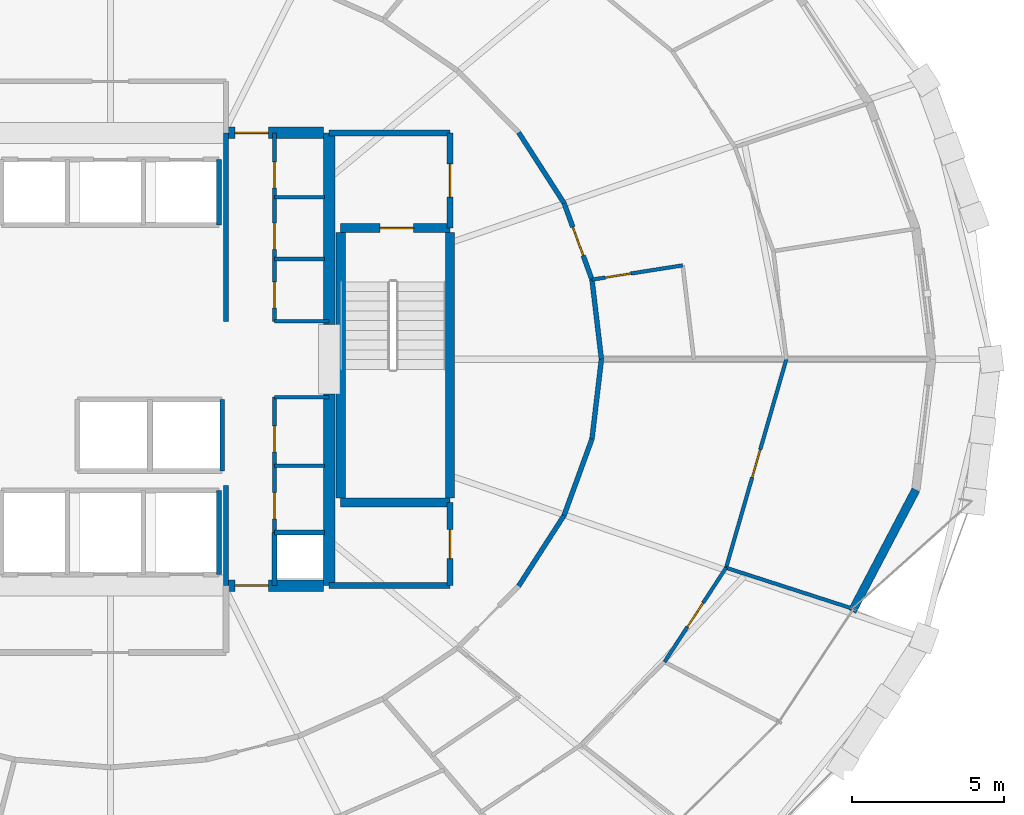
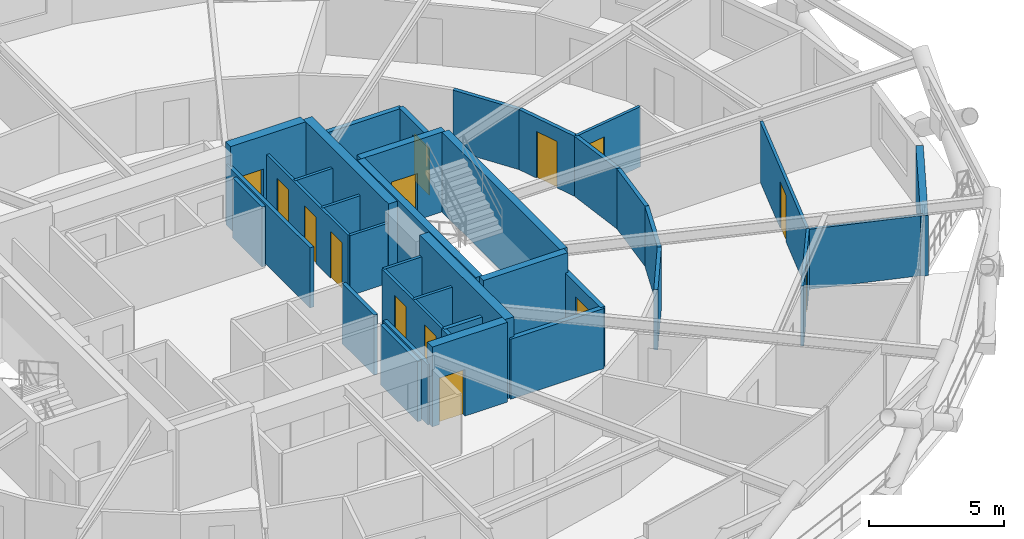
# One storey, part 15 of 19: 37 walls, 14 doors, 14 openings.
"""IFC4 building model written with IfcOpenShell, lengths in metres."""

from ifc_helpers import new_model, si_unit, direction, frame, frame_2d, origin, place, context, subcontext, project, spatial, rectangle, extrude, material, layer, layer_set, type_object, element, fill, save


model = new_model("IFC4")

# Units and contexts
model_context = context("Model", 3, precision=1e-05, world=origin(), true_north=direction((0.0, 1.0)))
body_context = subcontext(model_context, "Body", "Model", "MODEL_VIEW")
ifc_project = project(units=[si_unit("LENGTHUNIT", "METRE"), si_unit("AREAUNIT", "SQUARE_METRE"), si_unit("VOLUMEUNIT", "CUBIC_METRE"), si_unit("PLANEANGLEUNIT", "RADIAN"), si_unit("MASSUNIT", "GRAM", prefix="KILO")], contexts=[model_context])

# Site, building, storey
site_placement = place(None, origin())
site = spatial("IfcSite", under=ifc_project, at=site_placement, CompositionType="ELEMENT")
building_placement = place(site_placement, origin())
building = spatial("IfcBuilding", under=site, at=building_placement, Name="Veldorina Hangang Commons", CompositionType="ELEMENT")
storey_placement = place(building_placement, frame((0.0, 0.0, 77.199951171875)))
storey = spatial("IfcBuildingStorey", under=building, at=storey_placement, Name="L19", CompositionType="ELEMENT", Elevation=77.199951171875)

# Walls
ifc_material_1 = material(Name="Concrete C70/85", Category="concrete")
ifc_layer_1 = layer(ifc_material_1, 0.3798828125)
ifc_layer_set_1 = layer_set([ifc_layer_1], Name="Concrete C70/85")
wall_type_1 = type_object("IfcWallType", Name="CW-RC380-C70", PredefinedType="SHEAR", material=ifc_layer_set_1)
for number, where, z_axis, x_axis, name in (
    (1, (39.199951171875, 16.550048828125, 0.0), (0.0, 0.0, 1.0), (0.0, 1.0, 0.0), "L19 E south core shear wall"),
    (2, (39.199951171875, 25.14990234375, 0.0), (0.0, 0.0, 1.0), (0.0, 1.0, 0.0), "L19 E north core shear wall"),
):
    element("IfcWall", number, at=place(storey_placement, frame(where, z_axis=z_axis, x_axis=x_axis)), inside=storey, type_object=wall_type_1, Name=name, PredefinedType="SHEAR", context=body_context, shape_type="SweptSolid", body=[
        extrude(rectangle(XDim=6.300048828125, YDim=0.3798828125, at=frame_2d((3.14990234375, 0.0))), origin(), (0.0, 0.0, 1.0), 3.60009765625),
    ])

# Wall, opening, door
wall_1_placement = place(storey_placement, frame((35.800048828125, 16.550048828125, 0.0), z_axis=(0.0, 0.0, 1.0), x_axis=(1.0, 0.0, 0.0)))
wall_1 = element("IfcWall", 3, at=wall_1_placement, inside=storey, type_object=wall_type_1, Name="L19 south-east core shear wall", PredefinedType="SHEAR", context=body_context, shape_type="SweptSolid", body=[
    extrude(rectangle(XDim=3.2099609375, YDim=0.3798828125, at=frame_2d((1.60498046875, 0.0))), origin(), (0.0, 0.0, 1.0), 3.60009765625),
])
opening_1_placement = place(wall_1_placement, frame((0.300048828125, 0.0, 0.0)))
opening_1 = element("IfcOpeningElement", 4, at=opening_1_placement, cuts=wall_1, Name="Opening D-08", PredefinedType="OPENING", context=body_context, shape_type="SweptSolid", body=[
    extrude(rectangle(XDim=1.10009765625, YDim=2.10009765625, at=frame_2d((0.550048828125, 1.050048828125))), frame((0.0, 0.199951171875, 0.0), z_axis=(0.0, -1.0, 0.0), x_axis=(1.0, 0.0, 0.0)), (0.0, 0.0, 1.0), 0.39990234375),
])
ifc_material_2 = material(Name="Steel Fire-Rated Smoke Seal", Category="steel")
door_type_1 = type_object("IfcDoorType", Name="DR-FIRE-1100", OperationType="SINGLE_SWING_RIGHT", PredefinedType="DOOR", material=ifc_material_2)
door_1_placement = place(opening_1_placement, origin())
door_1 = element("IfcDoor", 5, at=door_1_placement, inside=storey, type_object=door_type_1, Name="L19 central lift lobby south corridor door", OperationType="SINGLE_SWING_RIGHT", OverallHeight=2.10009765625, OverallWidth=1.10009765625, PredefinedType="DOOR", context=body_context, shape_type="SweptSolid", body=[
    extrude(rectangle(XDim=1.10009765625, YDim=2.10009765625, at=frame_2d((0.550048828125, 1.050048828125))), frame((0.0, 0.02490234375, 0.0), z_axis=(0.0, -1.0, 0.0), x_axis=(1.0, 0.0, 0.0)), (0.0, 0.0, 1.0), 0.050048828125),
])
fill(opening_1, door_1)

wall_2_placement = place(storey_placement, frame((35.800048828125, 31.449951171875, 0.0), z_axis=(0.0, 0.0, 1.0), x_axis=(1.0, 0.0, 0.0)))
wall_2 = element("IfcWall", 6, at=wall_2_placement, inside=storey, type_object=wall_type_1, Name="L19 north-east core shear wall", PredefinedType="SHEAR", context=body_context, shape_type="SweptSolid", body=[
    extrude(rectangle(XDim=3.2099609375, YDim=0.3798828125, at=frame_2d((1.60498046875, 0.0))), origin(), (0.0, 0.0, 1.0), 3.60009765625),
])
opening_2_placement = place(wall_2_placement, frame((0.300048828125, 0.0, 0.0)))
opening_2 = element("IfcOpeningElement", 7, at=opening_2_placement, cuts=wall_2, Name="Opening D-08", PredefinedType="OPENING", context=body_context, shape_type="SweptSolid", body=[
    extrude(rectangle(XDim=1.10009765625, YDim=2.10009765625, at=frame_2d((0.550048828125, 1.050048828125))), frame((0.0, 0.199951171875, 0.0), z_axis=(0.0, -1.0, 0.0), x_axis=(1.0, 0.0, 0.0)), (0.0, 0.0, 1.0), 0.39990234375),
])
door_2_placement = place(opening_2_placement, origin())
door_2 = element("IfcDoor", 8, at=door_2_placement, inside=storey, type_object=door_type_1, Name="L19 central lift lobby north corridor door", OperationType="SINGLE_SWING_LEFT", OverallHeight=2.10009765625, OverallWidth=1.10009765625, PredefinedType="DOOR", context=body_context, shape_type="SweptSolid", body=[
    extrude(rectangle(XDim=1.10009765625, YDim=2.10009765625, at=frame_2d((0.550048828125, 1.050048828125))), frame((0.0, 0.02490234375, 0.0), z_axis=(0.0, -1.0, 0.0), x_axis=(1.0, 0.0, 0.0)), (0.0, 0.0, 1.0), 0.050048828125),
])
fill(opening_2, door_2)

# Walls
ifc_material_3 = material(Name="Stone Roman Travertine", Category="masonry")
ifc_layer_2 = layer(ifc_material_3, 0.280029296875)
ifc_layer_set_2 = layer_set([ifc_layer_2], Name="Stone Roman Travertine")
wall_type_2 = type_object("IfcWallType", Name="EW-TRAV-280", PredefinedType="STANDARD", material=ifc_layer_set_2)
wall_3_placement = place(storey_placement, frame((56.412841796875, 15.7021484375, 0.0), z_axis=(0.0, 0.0, 1.0), x_axis=(0.46457646391, 0.885533008521, 0.0)))
element("IfcWall", 9, at=wall_3_placement, inside=storey, type_object=wall_type_2, Name="L19 travertine facade wall 30", PredefinedType="STANDARD", context=body_context, shape_type="SweptSolid", body=[
    extrude(rectangle(XDim=4.516845703125, YDim=0.280029296875, at=frame_2d((2.25830078125, 0.0))), origin(), (0.0, 0.0, 1.0), 2.7099609375),
])
ifc_material_4 = material(Name="Concrete C50/60", Category="concrete")
ifc_layer_3 = layer(ifc_material_4, 0.300048828125)
ifc_layer_set_3 = layer_set([ifc_layer_3], Name="Concrete C50/60")
wall_type_3 = type_object("IfcWallType", Name="SW-STAIR-300", PredefinedType="SHEAR", material=ifc_layer_set_3)
for number, where, z_axis, x_axis, name in (
    (10, (43.179931640625, 19.429931640625, 0.0), (0.0, 0.0, 1.0), (0.0, 1.0, 0.0), "L19 ST2 outer stair shear wall"),
    (11, (39.580078125, 19.429931640625, 0.0), (0.0, 0.0, 1.0), (0.0, 1.0, 0.0), "L19 ST2 inner stair shear wall"),
):
    element("IfcWall", number, at=place(storey_placement, frame(where, z_axis=z_axis, x_axis=x_axis)), inside=storey, type_object=wall_type_3, Name=name, PredefinedType="SHEAR", context=body_context, shape_type="SweptSolid", body=[
        extrude(rectangle(XDim=8.739990234375, YDim=0.300048828125, at=frame_2d((4.3701171875, 0.0))), origin(), (0.0, 0.0, 1.0), 3.60009765625),
    ])
wall_4_placement = place(storey_placement, frame((39.580078125, 19.280029296875, 0.0), z_axis=(0.0, 0.0, 1.0), x_axis=(1.0, 0.0, 0.0)))
element("IfcWall", 12, at=wall_4_placement, inside=storey, type_object=wall_type_3, Name="L19 ST2 south stair shear wall", PredefinedType="SHEAR", context=body_context, shape_type="SweptSolid", body=[
    extrude(rectangle(XDim=3.599853515625, YDim=0.300048828125, at=frame_2d((1.7998046875, 0.0))), origin(), (0.0, 0.0, 1.0), 3.60009765625),
])

# Wall, opening, door
wall_5_placement = place(storey_placement, frame((39.580078125, 28.320068359375, 0.0), z_axis=(0.0, 0.0, 1.0), x_axis=(1.0, 0.0, 0.0)))
wall_5 = element("IfcWall", 13, at=wall_5_placement, inside=storey, type_object=wall_type_3, Name="L19 ST2 north stair shear wall", PredefinedType="SHEAR", context=body_context, shape_type="SweptSolid", body=[
    extrude(rectangle(XDim=3.599853515625, YDim=0.300048828125, at=frame_2d((1.7998046875, 0.0))), origin(), (0.0, 0.0, 1.0), 3.60009765625),
])
opening_3_placement = place(wall_5_placement, frame((1.300048828125, 0.0, 0.0)))
opening_3 = element("IfcOpeningElement", 14, at=opening_3_placement, cuts=wall_5, Name="Opening D-08", PredefinedType="OPENING", context=body_context, shape_type="SweptSolid", body=[
    extrude(rectangle(XDim=1.10009765625, YDim=2.10009765625, at=frame_2d((0.550048828125, 1.050048828125))), frame((0.0, 0.16015625, 0.0), z_axis=(0.0, -1.0, 0.0), x_axis=(1.0, 0.0, 0.0)), (0.0, 0.0, 1.0), 0.320068359375),
])
door_3_placement = place(opening_3_placement, origin())
door_3 = element("IfcDoor", 15, at=door_3_placement, inside=storey, type_object=door_type_1, Name="L19 Special Escape Stair ST-2 door", OperationType="SINGLE_SWING_RIGHT", OverallHeight=2.10009765625, OverallWidth=1.10009765625, PredefinedType="DOOR", context=body_context, shape_type="SweptSolid", body=[
    extrude(rectangle(XDim=1.10009765625, YDim=2.10009765625, at=frame_2d((0.550048828125, 1.050048828125))), frame((0.0, 0.02490234375, 0.0), z_axis=(0.0, -1.0, 0.0), x_axis=(1.0, 0.0, 0.0)), (0.0, 0.0, 1.0), 0.050048828125),
])
fill(opening_3, door_3)

# Walls
ifc_material_5 = material(Name="Gypsum Fire-Rated Twin Stud Wall", Category="gypsum")
ifc_layer_4 = layer(ifc_material_5, 0.159912109375)
ifc_layer_set_4 = layer_set([ifc_layer_4], Name="Gypsum Fire-Rated Twin Stud Wall")
wall_type_4 = type_object("IfcWallType", Name="WL-FIRE-160", PredefinedType="SOLIDWALL", material=ifc_layer_set_4)
wall_6_placement = place(storey_placement, frame((35.800048828125, 16.550048828125, 0.0), z_axis=(0.0, 0.0, 1.0), x_axis=(0.0, 1.0, 0.0)))
element("IfcWall", 16, at=wall_6_placement, inside=storey, type_object=wall_type_4, Name="L19 Lift passage SW wall 009", PredefinedType="SOLIDWALL", context=body_context, shape_type="SweptSolid", body=[
    extrude(rectangle(XDim=3.300048828125, YDim=0.159912109375, at=frame_2d((1.64990234375, 0.0))), origin(), (0.0, 0.0, 1.0), 2.7099609375),
])
wall_7_placement = place(storey_placement, frame((37.39990234375, 16.550048828125, 0.0), z_axis=(0.0, 0.0, 1.0), x_axis=(0.0, 1.0, 0.0)))
element("IfcWall", 17, at=wall_7_placement, inside=storey, type_object=wall_type_4, Name="L19 Lift passage SE stub 010", PredefinedType="SOLIDWALL", context=body_context, shape_type="SweptSolid", body=[
    extrude(rectangle(XDim=1.75, YDim=0.159912109375, at=frame_2d((0.875, 0.0))), origin(), (0.0, 0.0, 1.0), 2.7099609375),
])
wall_8_placement = place(storey_placement, frame((35.800048828125, 25.25, 0.0), z_axis=(0.0, 0.0, 1.0), x_axis=(0.0, 1.0, 0.0)))
element("IfcWall", 18, at=wall_8_placement, inside=storey, type_object=wall_type_4, Name="L19 Lift passage NW wall 011", PredefinedType="SOLIDWALL", context=body_context, shape_type="SweptSolid", body=[
    extrude(rectangle(XDim=6.199951171875, YDim=0.159912109375, at=frame_2d((3.10009765625, 0.0))), origin(), (0.0, 0.0, 1.0), 2.7099609375),
])
wall_9_placement = place(storey_placement, frame((35.580078125, 28.419921875, 0.0), z_axis=(0.0, 0.0, 1.0), x_axis=(0.0, 1.0, 0.0)))
element("IfcWall", 19, at=wall_9_placement, inside=storey, type_object=wall_type_4, Name="L19 PL-L3 east shaft wall 020", PredefinedType="SOLIDWALL", context=body_context, shape_type="SweptSolid", body=[
    extrude(rectangle(XDim=2.16015625, YDim=0.159912109375, at=frame_2d((1.080078125, 0.0))), origin(), (0.0, 0.0, 1.0), 2.7099609375),
])
wall_10_placement = place(storey_placement, frame((35.679931640625, 20.320068359375, 0.0), z_axis=(0.0, 0.0, 1.0), x_axis=(0.0, 1.0, 0.0)))
element("IfcWall", 20, at=wall_10_placement, inside=storey, type_object=wall_type_4, Name="L19 SL-2 east shaft wall 025", PredefinedType="SOLIDWALL", context=body_context, shape_type="SweptSolid", body=[
    extrude(rectangle(XDim=2.35986328125, YDim=0.159912109375, at=frame_2d((1.179931640625, 0.0))), origin(), (0.0, 0.0, 1.0), 2.7099609375),
])
wall_11_placement = place(storey_placement, frame((35.580078125, 16.919921875, 0.0), z_axis=(0.0, 0.0, 1.0), x_axis=(0.0, 1.0, 0.0)))
element("IfcWall", 21, at=wall_11_placement, inside=storey, type_object=wall_type_4, Name="L19 EVL-1 east shaft wall 031", PredefinedType="SOLIDWALL", context=body_context, shape_type="SweptSolid", body=[
    extrude(rectangle(XDim=2.760009765625, YDim=0.159912109375, at=frame_2d((1.3798828125, 0.0))), origin(), (0.0, 0.0, 1.0), 2.7099609375),
])
wall_12_placement = place(storey_placement, frame((37.39990234375, 18.300048828125, 0.0), z_axis=(0.0, 0.0, 1.0), x_axis=(1.0, 0.0, 0.0)))
element("IfcWall", 22, at=wall_12_placement, inside=storey, type_object=wall_type_4, Name="L19 Plumbing riser wall 037", PredefinedType="SOLIDWALL", context=body_context, shape_type="SweptSolid", body=[
    extrude(rectangle(XDim=1.650146484375, YDim=0.159912109375, at=frame_2d((0.8251953125, 0.0))), origin(), (0.0, 0.0, 1.0), 2.7099609375),
])
wall_13_placement = place(storey_placement, frame((48.162109375, 24.0, 0.0), z_axis=(0.0, 0.0, 1.0), x_axis=(-0.117667763342, 0.993053018459, 0.0)))
element("IfcWall", 23, at=wall_13_placement, inside=storey, type_object=wall_type_4, Name="L19 Corridor outer wall 00 050", PredefinedType="SOLIDWALL", context=body_context, shape_type="SweptSolid", body=[
    extrude(rectangle(XDim=2.63916015625, YDim=0.159912109375, at=frame_2d((1.319580078125, 0.0))), origin(), (0.0, 0.0, 1.0), 2.7099609375),
])

# Wall, opening, door
wall_14_placement = place(storey_placement, frame((47.8515625, 26.620849609375, 0.0), z_axis=(0.0, 0.0, 1.0), x_axis=(-0.342882618672, 0.939378257047, 0.0)))
wall_14 = element("IfcWall", 24, at=wall_14_placement, inside=storey, type_object=wall_type_4, Name="L19 Corridor outer wall 01 051", PredefinedType="SOLIDWALL", context=body_context, shape_type="SweptSolid", body=[
    extrude(rectangle(XDim=2.682861328125, YDim=0.159912109375, at=frame_2d((1.34130859375, 0.0))), origin(), (0.0, 0.0, 1.0), 2.7099609375),
])
opening_4_placement = place(wall_14_placement, frame((0.84130859375, 0.0, 0.0)))
opening_4 = element("IfcOpeningElement", 25, at=opening_4_placement, cuts=wall_14, Name="Opening D-06", PredefinedType="OPENING", context=body_context, shape_type="SweptSolid", body=[
    extrude(rectangle(XDim=1.0, YDim=2.10009765625, at=frame_2d((0.5, 1.050048828125))), frame((0.0, 0.08984375, 0.0), z_axis=(0.0, -1.0, 0.0), x_axis=(1.0, 0.0, 0.0)), (0.0, 0.0, 1.0), 0.179931640625),
])
ifc_material_6 = material(Name="Timber Fire-Rated Entrance Core", Category="wood")
door_type_2 = type_object("IfcDoorType", Name="DR-UNIT-1000", OperationType="SINGLE_SWING_LEFT", PredefinedType="DOOR", material=ifc_material_6)
door_4_placement = place(opening_4_placement, origin())
door_4 = element("IfcDoor", 26, at=door_4_placement, inside=storey, type_object=door_type_2, Name="L19 Cluster 3 entrance door 031", OperationType="SINGLE_SWING_LEFT", OverallHeight=2.10009765625, OverallWidth=1.0, PredefinedType="DOOR", context=body_context, shape_type="SweptSolid", body=[
    extrude(rectangle(XDim=1.0, YDim=2.10009765625, at=frame_2d((0.5, 1.050048828125))), frame((0.0, 0.02490234375, 0.0), z_axis=(0.0, -1.0, 0.0), x_axis=(1.0, 0.0, 0.0)), (0.0, 0.0, 1.0), 0.050048828125),
])
fill(opening_4, door_4)

# Walls
for number, where, z_axis, x_axis, name in (
    (27, (46.931640625, 29.14111328125, 0.0), (0.0, 0.0, 1.0), (-0.540891657444, 0.841092274907, 0.0), "L19 Corridor outer wall 02 052"),
    (28, (45.438232421875, 16.53662109375, 0.0), (0.0, 0.0, 1.0), (0.540891657444, 0.841092274907, 0.0), "L19 Corridor outer wall 29 079"),
):
    element("IfcWall", number, at=place(storey_placement, frame(where, z_axis=z_axis, x_axis=x_axis)), inside=storey, type_object=wall_type_4, Name=name, PredefinedType="SOLIDWALL", context=body_context, shape_type="SweptSolid", body=[
        extrude(rectangle(XDim=2.760986328125, YDim=0.159912109375, at=frame_2d((1.38037109375, 0.0))), origin(), (0.0, 0.0, 1.0), 2.7099609375),
    ])
wall_15_placement = place(storey_placement, frame((46.931640625, 18.85888671875, 0.0), z_axis=(0.0, 0.0, 1.0), x_axis=(0.342882618672, 0.939378257047, 0.0)))
element("IfcWall", 29, at=wall_15_placement, inside=storey, type_object=wall_type_4, Name="L19 Corridor outer wall 30 080", PredefinedType="SOLIDWALL", context=body_context, shape_type="SweptSolid", body=[
    extrude(rectangle(XDim=2.682861328125, YDim=0.159912109375, at=frame_2d((1.34130859375, 0.0))), origin(), (0.0, 0.0, 1.0), 2.7099609375),
])
wall_16_placement = place(storey_placement, frame((47.8515625, 21.379150390625, 0.0), z_axis=(0.0, 0.0, 1.0), x_axis=(0.117667763342, 0.993053018459, 0.0)))
element("IfcWall", 30, at=wall_16_placement, inside=storey, type_object=wall_type_4, Name="L19 Corridor outer wall 31 081", PredefinedType="SOLIDWALL", context=body_context, shape_type="SweptSolid", body=[
    extrude(rectangle(XDim=2.63916015625, YDim=0.159912109375, at=frame_2d((1.319580078125, 0.0))), origin(), (0.0, 0.0, 1.0), 2.7099609375),
])

# Wall, opening, door
ifc_material_7 = material(Name="Concrete Blockwork Fire Wall C30/37", Category="masonry")
ifc_layer_5 = layer(ifc_material_7, 0.199951171875)
ifc_layer_set_5 = layer_set([ifc_layer_5], Name="Concrete Blockwork Fire Wall C30/37")
wall_type_5 = type_object("IfcWallType", Name="WL-FIRE-200", PredefinedType="SOLIDWALL", material=ifc_layer_set_5)
wall_17_placement = place(storey_placement, frame((43.179931640625, 28.320068359375, 0.0), z_axis=(0.0, 0.0, 1.0), x_axis=(0.0, 1.0, 0.0)))
wall_17 = element("IfcWall", 31, at=wall_17_placement, inside=storey, type_object=wall_type_5, Name="L19 East vestibule outer wall 003", PredefinedType="SOLIDWALL", context=body_context, shape_type="SweptSolid", body=[
    extrude(rectangle(XDim=3.1298828125, YDim=0.199951171875, at=frame_2d((1.56494140625, 0.0))), origin(), (0.0, 0.0, 1.0), 2.7099609375),
])
opening_5_placement = place(wall_17_placement, frame((1.014892578125, 0.0, 0.0)))
opening_5 = element("IfcOpeningElement", 32, at=opening_5_placement, cuts=wall_17, Name="Opening D-08", PredefinedType="OPENING", context=body_context, shape_type="SweptSolid", body=[
    extrude(rectangle(XDim=1.10009765625, YDim=2.10009765625, at=frame_2d((0.550048828125, 1.050048828125))), frame((0.0, 0.10986328125, 0.0), z_axis=(0.0, -1.0, 0.0), x_axis=(1.0, 0.0, 0.0)), (0.0, 0.0, 1.0), 0.219970703125),
])
door_5_placement = place(opening_5_placement, origin())
door_5 = element("IfcDoor", 33, at=door_5_placement, inside=storey, type_object=door_type_1, Name="L19 East vestibule east door 002", OperationType="SINGLE_SWING_RIGHT", OverallHeight=2.10009765625, OverallWidth=1.10009765625, PredefinedType="DOOR", context=body_context, shape_type="SweptSolid", body=[
    extrude(rectangle(XDim=1.10009765625, YDim=2.10009765625, at=frame_2d((0.550048828125, 1.050048828125))), frame((0.0, 0.02490234375, 0.0), z_axis=(0.0, -1.0, 0.0), x_axis=(1.0, 0.0, 0.0)), (0.0, 0.0, 1.0), 0.050048828125),
])
fill(opening_5, door_5)

# Wall
wall_18_placement = place(storey_placement, frame((39.199951171875, 31.449951171875, 0.0), z_axis=(0.0, 0.0, 1.0), x_axis=(1.0, 0.0, 0.0)))
element("IfcWall", 34, at=wall_18_placement, inside=storey, type_object=wall_type_5, Name="L19 East vestibule north wall 004", PredefinedType="SOLIDWALL", context=body_context, shape_type="SweptSolid", body=[
    extrude(rectangle(XDim=3.97998046875, YDim=0.199951171875, at=frame_2d((1.989990234375, 0.0))), origin(), (0.0, 0.0, 1.0), 2.7099609375),
])

# Wall, opening, door
wall_19_placement = place(storey_placement, frame((43.179931640625, 16.550048828125, 0.0), z_axis=(0.0, 0.0, 1.0), x_axis=(0.0, 1.0, 0.0)))
wall_19 = element("IfcWall", 35, at=wall_19_placement, inside=storey, type_object=wall_type_5, Name="L19 SE core room outer wall 007", PredefinedType="SOLIDWALL", context=body_context, shape_type="SweptSolid", body=[
    extrude(rectangle(XDim=2.72998046875, YDim=0.199951171875, at=frame_2d((1.364990234375, 0.0))), origin(), (0.0, 0.0, 1.0), 2.7099609375),
])
opening_6_placement = place(wall_19_placement, frame((0.889892578125, 0.0, 0.0)))
opening_6 = element("IfcOpeningElement", 36, at=opening_6_placement, cuts=wall_19, Name="Opening D-02", PredefinedType="OPENING", context=body_context, shape_type="SweptSolid", body=[
    extrude(rectangle(XDim=0.949951171875, YDim=2.10009765625, at=frame_2d((0.47509765625, 1.050048828125))), frame((0.0, 0.10986328125, 0.0), z_axis=(0.0, -1.0, 0.0), x_axis=(1.0, 0.0, 0.0)), (0.0, 0.0, 1.0), 0.219970703125),
])
ifc_material_8 = material(Name="Timber Solid Core Acoustic", Category="wood")
door_type_3 = type_object("IfcDoorType", Name="DR-INT-950", OperationType="SINGLE_SWING_LEFT", PredefinedType="DOOR", material=ifc_material_8)
door_6_placement = place(opening_6_placement, origin())
door_6 = element("IfcDoor", 37, at=door_6_placement, inside=storey, type_object=door_type_3, Name="L19 SE core WC door 004", OperationType="SINGLE_SWING_RIGHT", OverallHeight=2.10009765625, OverallWidth=0.949951171875, PredefinedType="DOOR", context=body_context, shape_type="SweptSolid", body=[
    extrude(rectangle(XDim=0.949951171875, YDim=2.10009765625, at=frame_2d((0.47509765625, 1.050048828125))), frame((0.0, 0.02490234375, 0.0), z_axis=(0.0, -1.0, 0.0), x_axis=(1.0, 0.0, 0.0)), (0.0, 0.0, 1.0), 0.050048828125),
])
fill(opening_6, door_6)

# Wall
wall_20_placement = place(storey_placement, frame((39.199951171875, 16.550048828125, 0.0), z_axis=(0.0, 0.0, 1.0), x_axis=(1.0, 0.0, 0.0)))
element("IfcWall", 38, at=wall_20_placement, inside=storey, type_object=wall_type_5, Name="L19 SE core room south wall 008", PredefinedType="SOLIDWALL", context=body_context, shape_type="SweptSolid", body=[
    extrude(rectangle(XDim=3.97998046875, YDim=0.199951171875, at=frame_2d((1.989990234375, 0.0))), origin(), (0.0, 0.0, 1.0), 2.7099609375),
])

# Wall, openings, doors
ifc_material_9 = material(Name="Gypsum Acoustic Stud Partition", Category="gypsum")
ifc_layer_6 = layer(ifc_material_9, 0.1201171875)
ifc_layer_set_6 = layer_set([ifc_layer_6], Name="Gypsum Acoustic Stud Partition")
wall_type_6 = type_object("IfcWallType", Name="WL-PART-120", PredefinedType="PARTITIONING", material=ifc_layer_set_6)
wall_21_placement = place(storey_placement, frame((37.39990234375, 25.25, 0.0), z_axis=(0.0, 0.0, 1.0), x_axis=(0.0, 1.0, 0.0)))
wall_21 = element("IfcWall", 39, at=wall_21_placement, inside=storey, type_object=wall_type_6, Name="L19 NE strip lobby wall 041", PredefinedType="PARTITIONING", context=body_context, shape_type="SweptSolid", body=[
    extrude(rectangle(XDim=6.199951171875, YDim=0.1201171875, at=frame_2d((3.10009765625, 0.0))), origin(), (0.0, 0.0, 1.0), 2.7099609375),
])
opening_7_placement = place(wall_21_placement, frame((0.43994140625, 0.0, 0.0)))
opening_7 = element("IfcOpeningElement", 40, at=opening_7_placement, cuts=wall_21, Name="Opening D-01", PredefinedType="OPENING", context=body_context, shape_type="SweptSolid", body=[
    extrude(rectangle(XDim=0.860107421875, YDim=2.10009765625, at=frame_2d((0.43017578125, 1.050048828125))), frame((0.0, 0.070068359375, 0.0), z_axis=(0.0, -1.0, 0.0), x_axis=(1.0, 0.0, 0.0)), (0.0, 0.0, 1.0), 0.14013671875),
])
opening_8_placement = place(wall_21_placement, frame((2.3701171875, 0.0, 0.0)))
opening_8 = element("IfcOpeningElement", 41, at=opening_8_placement, cuts=wall_21, Name="Opening D-01", PredefinedType="OPENING", context=body_context, shape_type="SweptSolid", body=[
    extrude(rectangle(XDim=0.860107421875, YDim=2.10009765625, at=frame_2d((0.43017578125, 1.050048828125))), frame((0.0, 0.070068359375, 0.0), z_axis=(0.0, -1.0, 0.0), x_axis=(1.0, 0.0, 0.0)), (0.0, 0.0, 1.0), 0.14013671875),
])
opening_9_placement = place(wall_21_placement, frame((4.389892578125, 0.0, 0.0)))
opening_9 = element("IfcOpeningElement", 42, at=opening_9_placement, cuts=wall_21, Name="Opening D-01", PredefinedType="OPENING", context=body_context, shape_type="SweptSolid", body=[
    extrude(rectangle(XDim=0.860107421875, YDim=2.10009765625, at=frame_2d((0.43017578125, 1.050048828125))), frame((0.0, 0.070068359375, 0.0), z_axis=(0.0, -1.0, 0.0), x_axis=(1.0, 0.0, 0.0)), (0.0, 0.0, 1.0), 0.14013671875),
])
ifc_material_10 = material(Name="Timber Moisture-Resistant Core", Category="wood")
door_type_4 = type_object("IfcDoorType", Name="DR-WET-860", OperationType="SINGLE_SWING_LEFT", PredefinedType="DOOR", material=ifc_material_10)
door_7_placement = place(opening_7_placement, origin())
door_7 = element("IfcDoor", 43, at=door_7_placement, inside=storey, type_object=door_type_4, Name="L19 Fiber Riser Closet door 017", OperationType="SINGLE_SWING_LEFT", OverallHeight=2.10009765625, OverallWidth=0.860107421875, PredefinedType="DOOR", context=body_context, shape_type="SweptSolid", body=[
    extrude(rectangle(XDim=0.860107421875, YDim=2.10009765625, at=frame_2d((0.43017578125, 1.050048828125))), frame((0.0, 0.02490234375, 0.0), z_axis=(0.0, -1.0, 0.0), x_axis=(1.0, 0.0, 0.0)), (0.0, 0.0, 1.0), 0.050048828125),
])
fill(opening_7, door_7)
door_8_placement = place(opening_8_placement, origin())
door_8 = element("IfcDoor", 44, at=door_8_placement, inside=storey, type_object=door_type_4, Name="L19 AV Rack Closet door 018", OperationType="SINGLE_SWING_RIGHT", OverallHeight=2.10009765625, OverallWidth=0.860107421875, PredefinedType="DOOR", context=body_context, shape_type="SweptSolid", body=[
    extrude(rectangle(XDim=0.860107421875, YDim=2.10009765625, at=frame_2d((0.43017578125, 1.050048828125))), frame((0.0, 0.02490234375, 0.0), z_axis=(0.0, -1.0, 0.0), x_axis=(1.0, 0.0, 0.0)), (0.0, 0.0, 1.0), 0.050048828125),
])
fill(opening_8, door_8)
door_9_placement = place(opening_9_placement, origin())
door_9 = element("IfcDoor", 45, at=door_9_placement, inside=storey, type_object=door_type_4, Name="L19 Supply Closet door 019", OperationType="SINGLE_SWING_LEFT", OverallHeight=2.10009765625, OverallWidth=0.860107421875, PredefinedType="DOOR", context=body_context, shape_type="SweptSolid", body=[
    extrude(rectangle(XDim=0.860107421875, YDim=2.10009765625, at=frame_2d((0.43017578125, 1.050048828125))), frame((0.0, 0.02490234375, 0.0), z_axis=(0.0, -1.0, 0.0), x_axis=(1.0, 0.0, 0.0)), (0.0, 0.0, 1.0), 0.050048828125),
])
fill(opening_9, door_9)

# Wall
wall_22_placement = place(storey_placement, frame((37.39990234375, 25.25, 0.0), z_axis=(0.0, 0.0, 1.0), x_axis=(1.0, 0.0, 0.0)))
element("IfcWall", 46, at=wall_22_placement, inside=storey, type_object=wall_type_6, Name="L19 NE strip south return wall 042", PredefinedType="PARTITIONING", context=body_context, shape_type="SweptSolid", body=[
    extrude(rectangle(XDim=1.800048828125, YDim=0.1201171875, at=frame_2d((0.89990234375, 0.0))), origin(), (0.0, 0.0, 1.0), 2.7099609375),
])

# Wall, openings, doors
wall_23_placement = place(storey_placement, frame((37.39990234375, 18.300048828125, 0.0), z_axis=(0.0, 0.0, 1.0), x_axis=(0.0, 1.0, 0.0)))
wall_23 = element("IfcWall", 47, at=wall_23_placement, inside=storey, type_object=wall_type_6, Name="L19 SE strip lobby wall 043", PredefinedType="PARTITIONING", context=body_context, shape_type="SweptSolid", body=[
    extrude(rectangle(XDim=4.449951171875, YDim=0.1201171875, at=frame_2d((2.22509765625, 0.0))), origin(), (0.0, 0.0, 1.0), 2.7099609375),
])
opening_10_placement = place(wall_23_placement, frame((0.449951171875, 0.0, 0.0)))
opening_10 = element("IfcOpeningElement", 48, at=opening_10_placement, cuts=wall_23, Name="Opening D-01", PredefinedType="OPENING", context=body_context, shape_type="SweptSolid", body=[
    extrude(rectangle(XDim=0.860107421875, YDim=2.10009765625, at=frame_2d((0.43017578125, 1.050048828125))), frame((0.0, 0.070068359375, 0.0), z_axis=(0.0, -1.0, 0.0), x_axis=(1.0, 0.0, 0.0)), (0.0, 0.0, 1.0), 0.14013671875),
])
opening_11_placement = place(wall_23_placement, frame((2.64990234375, 0.0, 0.0)))
opening_11 = element("IfcOpeningElement", 49, at=opening_11_placement, cuts=wall_23, Name="Opening D-01", PredefinedType="OPENING", context=body_context, shape_type="SweptSolid", body=[
    extrude(rectangle(XDim=0.860107421875, YDim=2.10009765625, at=frame_2d((0.43017578125, 1.050048828125))), frame((0.0, 0.070068359375, 0.0), z_axis=(0.0, -1.0, 0.0), x_axis=(1.0, 0.0, 0.0)), (0.0, 0.0, 1.0), 0.14013671875),
])
door_10_placement = place(opening_10_placement, origin())
door_10 = element("IfcDoor", 50, at=door_10_placement, inside=storey, type_object=door_type_4, Name="L19 Janitor sink door 020", OperationType="SINGLE_SWING_RIGHT", OverallHeight=2.10009765625, OverallWidth=0.860107421875, PredefinedType="DOOR", context=body_context, shape_type="SweptSolid", body=[
    extrude(rectangle(XDim=0.860107421875, YDim=2.10009765625, at=frame_2d((0.43017578125, 1.050048828125))), frame((0.0, 0.02490234375, 0.0), z_axis=(0.0, -1.0, 0.0), x_axis=(1.0, 0.0, 0.0)), (0.0, 0.0, 1.0), 0.050048828125),
])
fill(opening_10, door_10)
door_11_placement = place(opening_11_placement, origin())
door_11 = element("IfcDoor", 51, at=door_11_placement, inside=storey, type_object=door_type_4, Name="L19 Fire panel door 021", OperationType="SINGLE_SWING_LEFT", OverallHeight=2.10009765625, OverallWidth=0.860107421875, PredefinedType="DOOR", context=body_context, shape_type="SweptSolid", body=[
    extrude(rectangle(XDim=0.860107421875, YDim=2.10009765625, at=frame_2d((0.43017578125, 1.050048828125))), frame((0.0, 0.02490234375, 0.0), z_axis=(0.0, -1.0, 0.0), x_axis=(1.0, 0.0, 0.0)), (0.0, 0.0, 1.0), 0.050048828125),
])
fill(opening_11, door_11)

# Walls
wall_24_placement = place(storey_placement, frame((37.39990234375, 22.75, 0.0), z_axis=(0.0, 0.0, 1.0), x_axis=(1.0, 0.0, 0.0)))
element("IfcWall", 52, at=wall_24_placement, inside=storey, type_object=wall_type_6, Name="L19 SE strip north return wall 044", PredefinedType="PARTITIONING", context=body_context, shape_type="SweptSolid", body=[
    extrude(rectangle(XDim=1.800048828125, YDim=0.1201171875, at=frame_2d((0.89990234375, 0.0))), origin(), (0.0, 0.0, 1.0), 2.7099609375),
])
for number, where, z_axis, x_axis, name in (
    (53, (37.39990234375, 27.300048828125, 0.0), (0.0, 0.0, 1.0), (1.0, 0.0, 0.0), "L19 NE split 1 047"),
    (54, (37.39990234375, 29.330078125, 0.0), (0.0, 0.0, 1.0), (1.0, 0.0, 0.0), "L19 NE split 2 048"),
    (55, (37.39990234375, 20.5, 0.0), (0.0, 0.0, 1.0), (1.0, 0.0, 0.0), "L19 SE horizontal split 049"),
):
    element("IfcWall", number, at=place(storey_placement, frame(where, z_axis=z_axis, x_axis=x_axis)), inside=storey, type_object=wall_type_6, Name=name, PredefinedType="PARTITIONING", context=body_context, shape_type="SweptSolid", body=[
        extrude(rectangle(XDim=1.650146484375, YDim=0.1201171875, at=frame_2d((0.8251953125, 0.0))), origin(), (0.0, 0.0, 1.0), 2.7099609375),
    ])

# Wall, opening, door
wall_25_placement = place(storey_placement, frame((50.238037109375, 14.0361328125, 0.0), z_axis=(0.0, 0.0, 1.0), x_axis=(0.547210297377, 0.836995155568, 0.0)))
wall_25 = element("IfcWall", 56, at=wall_25_placement, inside=storey, type_object=wall_type_6, Name="L19 Cluster 2 bed 3 front wall 093", PredefinedType="PARTITIONING", context=body_context, shape_type="SweptSolid", body=[
    extrude(rectangle(XDim=3.704345703125, YDim=0.1201171875, at=frame_2d((1.85205078125, 0.0))), origin(), (0.0, 0.0, 1.0), 2.7099609375),
])
opening_12_placement = place(wall_25_placement, frame((1.377197265625, 0.0, 0.0)))
opening_12 = element("IfcOpeningElement", 57, at=opening_12_placement, cuts=wall_25, Name="Opening D-02", PredefinedType="OPENING", context=body_context, shape_type="SweptSolid", body=[
    extrude(rectangle(XDim=0.949951171875, YDim=2.10009765625, at=frame_2d((0.47509765625, 1.050048828125))), frame((0.0, 0.070068359375, 0.0), z_axis=(0.0, -1.0, 0.0), x_axis=(1.0, 0.0, 0.0)), (0.0, 0.0, 1.0), 0.14013671875),
])
door_12_placement = place(opening_12_placement, origin())
door_12 = element("IfcDoor", 58, at=door_12_placement, inside=storey, type_object=door_type_3, Name="L19 Cluster 2 bed 3 door 028", OperationType="SINGLE_SWING_RIGHT", OverallHeight=2.10009765625, OverallWidth=0.949951171875, PredefinedType="DOOR", context=body_context, shape_type="SweptSolid", body=[
    extrude(rectangle(XDim=0.949951171875, YDim=2.10009765625, at=frame_2d((0.47509765625, 1.050048828125))), frame((0.0, 0.02490234375, 0.0), z_axis=(0.0, -1.0, 0.0), x_axis=(1.0, 0.0, 0.0)), (0.0, 0.0, 1.0), 0.050048828125),
])
fill(opening_12, door_12)

wall_26_placement = place(storey_placement, frame((52.26513671875, 17.13671875, 0.0), z_axis=(0.0, 0.0, 1.0), x_axis=(0.277595025379, 0.960698184595, 0.0)))
wall_26 = element("IfcWall", 59, at=wall_26_placement, inside=storey, type_object=wall_type_6, Name="L19 Cluster 2 bed 4 front wall 095", PredefinedType="PARTITIONING", context=body_context, shape_type="SweptSolid", body=[
    extrude(rectangle(XDim=7.14404296875, YDim=0.1201171875, at=frame_2d((3.572021484375, 0.0))), origin(), (0.0, 0.0, 1.0), 2.7099609375),
])
opening_13_placement = place(wall_26_placement, frame((3.096923828125, 0.0, 0.0)))
opening_13 = element("IfcOpeningElement", 60, at=opening_13_placement, cuts=wall_26, Name="Opening D-02", PredefinedType="OPENING", context=body_context, shape_type="SweptSolid", body=[
    extrude(rectangle(XDim=0.949951171875, YDim=2.10009765625, at=frame_2d((0.47509765625, 1.050048828125))), frame((0.0, 0.070068359375, 0.0), z_axis=(0.0, -1.0, 0.0), x_axis=(1.0, 0.0, 0.0)), (0.0, 0.0, 1.0), 0.14013671875),
])
door_13_placement = place(opening_13_placement, origin())
door_13 = element("IfcDoor", 61, at=door_13_placement, inside=storey, type_object=door_type_3, Name="L19 Cluster 2 bed 4 door 029", OperationType="SINGLE_SWING_LEFT", OverallHeight=2.10009765625, OverallWidth=0.949951171875, PredefinedType="DOOR", context=body_context, shape_type="SweptSolid", body=[
    extrude(rectangle(XDim=0.949951171875, YDim=2.10009765625, at=frame_2d((0.47509765625, 1.050048828125))), frame((0.0, 0.02490234375, 0.0), z_axis=(0.0, -1.0, 0.0), x_axis=(1.0, 0.0, 0.0)), (0.0, 0.0, 1.0), 0.050048828125),
])
fill(opening_13, door_13)

# Wall
wall_27_placement = place(storey_placement, frame((52.26513671875, 17.13671875, 0.0), z_axis=(0.0, 0.0, 1.0), x_axis=(0.951624541118, -0.307263295467, 0.0)))
element("IfcWall", 62, at=wall_27_placement, inside=storey, type_object=wall_type_6, Name="L19 Cluster 2 bed divider 3 096", PredefinedType="PARTITIONING", context=body_context, shape_type="SweptSolid", body=[
    extrude(rectangle(XDim=4.353515625, YDim=0.1201171875, at=frame_2d((2.1767578125, 0.0))), origin(), (0.0, 0.0, 1.0), 2.7099609375),
])

# Wall, opening, door
wall_28_placement = place(storey_placement, frame((47.8515625, 26.620849609375, 0.0), z_axis=(0.0, 0.0, 1.0), x_axis=(0.987853214695, 0.155389916716, 0.0)))
wall_28 = element("IfcWall", 63, at=wall_28_placement, inside=storey, type_object=wall_type_6, Name="L19 Cluster 3 bath side wall 099", PredefinedType="PARTITIONING", context=body_context, shape_type="SweptSolid", body=[
    extrude(rectangle(XDim=3.021240234375, YDim=0.1201171875, at=frame_2d((1.5107421875, 0.0))), origin(), (0.0, 0.0, 1.0), 2.7099609375),
])
opening_14_placement = place(wall_28_placement, frame((0.43994140625, 0.0, 0.0)))
opening_14 = element("IfcOpeningElement", 64, at=opening_14_placement, cuts=wall_28, Name="Opening D-01", PredefinedType="OPENING", context=body_context, shape_type="SweptSolid", body=[
    extrude(rectangle(XDim=0.860107421875, YDim=2.10009765625, at=frame_2d((0.43017578125, 1.050048828125))), frame((0.0, 0.070068359375, 0.0), z_axis=(0.0, -1.0, 0.0), x_axis=(1.0, 0.0, 0.0)), (0.0, 0.0, 1.0), 0.14013671875),
])
door_14_placement = place(opening_14_placement, origin())
door_14 = element("IfcDoor", 65, at=door_14_placement, inside=storey, type_object=door_type_4, Name="L19 Cluster 3 shared bathroom door 030", OperationType="SINGLE_SWING_RIGHT", OverallHeight=2.10009765625, OverallWidth=0.860107421875, PredefinedType="DOOR", context=body_context, shape_type="SweptSolid", body=[
    extrude(rectangle(XDim=0.860107421875, YDim=2.10009765625, at=frame_2d((0.43017578125, 1.050048828125))), frame((0.0, 0.02490234375, 0.0), z_axis=(0.0, -1.0, 0.0), x_axis=(1.0, 0.0, 0.0)), (0.0, 0.0, 1.0), 0.050048828125),
])
fill(opening_14, door_14)

save(model, "model.ifc")
